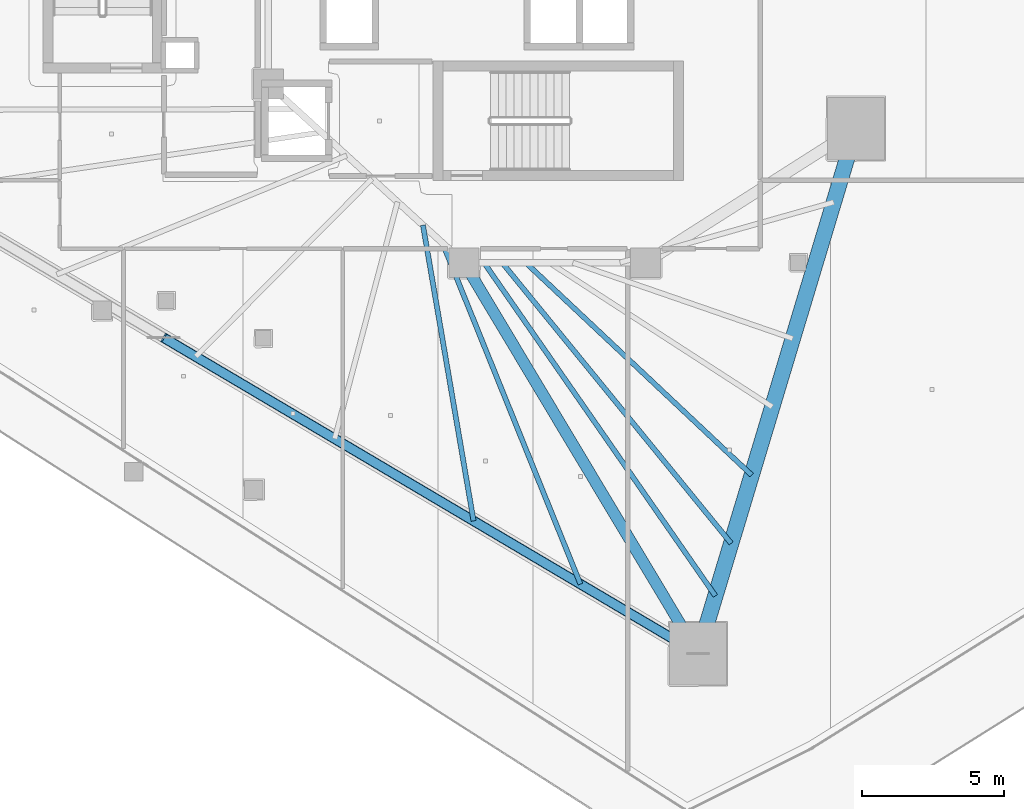
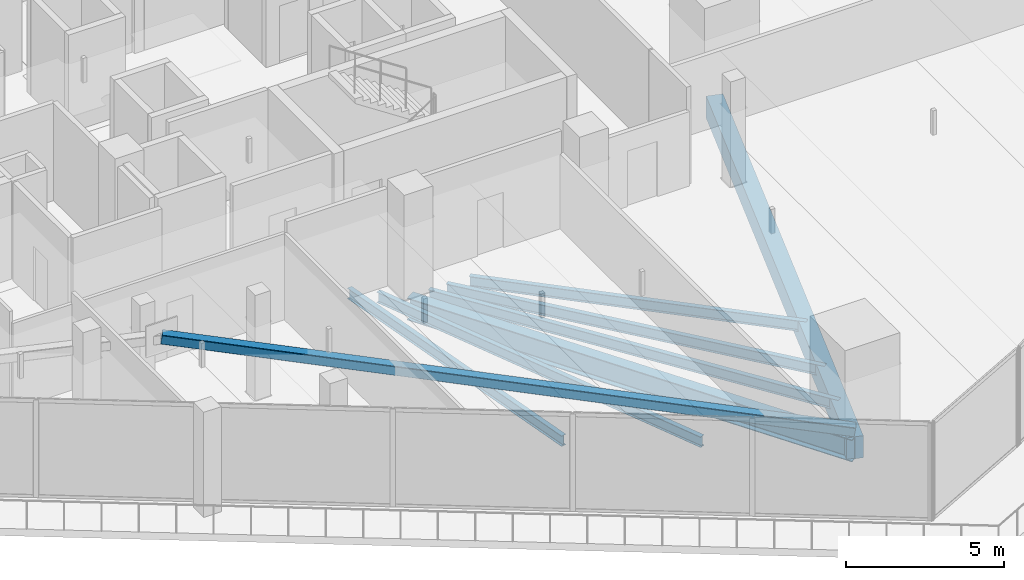
# One storey, part 9 of 45: 7 beams, 1 member.
"""IFC4 building model written with IfcOpenShell, lengths in metres."""

from ifc_helpers import new_model, si_unit, direction, frame, origin, origin_2d, place, context, subcontext, project, spatial, rectangle, hollow_rectangle, i_section, extrude, material, material_profile, profile_set, type_object, element, save


model = new_model("IFC4")

# Units and contexts
model_context = context("Model", 3, precision=1e-05, world=origin(), true_north=direction((0.0, 1.0)))
body_context = subcontext(model_context, "Body", "Model", "MODEL_VIEW")
ifc_project = project(units=[si_unit("LENGTHUNIT", "METRE"), si_unit("AREAUNIT", "SQUARE_METRE"), si_unit("VOLUMEUNIT", "CUBIC_METRE"), si_unit("PLANEANGLEUNIT", "RADIAN"), si_unit("MASSUNIT", "GRAM", prefix="KILO")], contexts=[model_context])

# Site, building, storey
site_placement = place(None, origin())
site = spatial("IfcSite", under=ifc_project, at=site_placement, CompositionType="ELEMENT")
building_placement = place(site_placement, origin())
building = spatial("IfcBuilding", under=site, at=building_placement, Name="Qorvath Tower", CompositionType="ELEMENT")
storey_placement = place(building_placement, frame((0.0, 0.0, 126.0)))
storey = spatial("IfcBuildingStorey", under=building, at=storey_placement, Name="L28", CompositionType="ELEMENT", Elevation=126.0)

# Beams
ifc_material_1 = material(Name="Steel ASTM A992 Grade 50", Category="steel")
ifc_material_profile_1 = material_profile(ifc_material_1, i_section(OverallWidth=0.39892578125, OverallDepth=0.85498046875, WebThickness=0.018310546875, FlangeThickness=0.029296875, FilletRadius=0.02001953125, at=origin_2d()), Name="W33x201")
ifc_profile_set_1 = profile_set([ifc_material_profile_1], Name="Steel ASTM A992 Grade 50")
beam_type_1 = type_object("IfcBeamType", Name="BM-FG2", PredefinedType="BEAM", material=ifc_profile_set_1)
beam_1_placement = place(storey_placement, frame((-23.60009765625, -11.449951171875, -0.70751953125), z_axis=(0.513497213955, -0.85809126045, 0.0), x_axis=(0.85809126045, 0.513497213955, 0.0)))
element("IfcBeam", 1, at=beam_1_placement, inside=storey, type_object=beam_type_1, Name="Radial Floor Girder CC4-MC3 L28", PredefinedType="BEAM", context=body_context, shape_type="SweptSolid", body=[
    extrude(i_section(OverallWidth=0.39892578125, OverallDepth=0.85498046875, WebThickness=0.018310546875, FlangeThickness=0.029296875, FilletRadius=0.02001953125, at=origin_2d()), origin(), (0.0, 0.0, 1.0), 16.07763671875),
])
ifc_material_2 = material(Name="Steel ASTM A992 Grade 50", Category="steel")
ifc_material_profile_2 = material_profile(ifc_material_2, i_section(OverallWidth=0.177978515625, OverallDepth=0.406005859375, WebThickness=0.0078125, FlangeThickness=0.0126953125, FilletRadius=0.010986328125, at=origin_2d()), Name="W16x40")
ifc_profile_set_2 = profile_set([ifc_material_profile_2], Name="Steel ASTM A992 Grade 50")
beam_type_2 = type_object("IfcBeamType", Name="BM-FJ3", PredefinedType="JOIST", material=ifc_profile_set_2)
beam_2_placement = place(storey_placement, frame((-21.424072265625, -11.449951171875, -0.48291015625), z_axis=(0.728572459091, -0.684968737866, 0.0), x_axis=(0.684968737866, 0.728572459091, 0.0)))
element("IfcBeam", 2, at=beam_2_placement, inside=storey, type_object=beam_type_2, Name="Composite Floor Joist SE5 L28", PredefinedType="JOIST", context=body_context, shape_type="SweptSolid", body=[
    extrude(i_section(OverallWidth=0.177978515625, OverallDepth=0.406005859375, WebThickness=0.0078125, FlangeThickness=0.0126953125, FilletRadius=0.010986328125, at=origin_2d()), origin(), (0.0, 0.0, 1.0), 10.9462890625),
])
beam_3_placement = place(storey_placement, frame((-22.256103515625, -11.449951171875, -0.48291015625), z_axis=(0.632187975212, -0.774815051478, 0.0), x_axis=(0.774815051478, 0.632187975212, 0.0)))
element("IfcBeam", 3, at=beam_3_placement, inside=storey, type_object=beam_type_2, Name="Composite Floor Joist SE6 L28", PredefinedType="JOIST", context=body_context, shape_type="SweptSolid", body=[
    extrude(i_section(OverallWidth=0.177978515625, OverallDepth=0.406005859375, WebThickness=0.0078125, FlangeThickness=0.0126953125, FilletRadius=0.010986328125, at=origin_2d()), origin(), (0.0, 0.0, 1.0), 12.784912109375),
])
beam_4_placement = place(storey_placement, frame((-22.89599609375, -11.449951171875, -0.48291015625), z_axis=(0.570366725248, -0.821390162304, 0.0), x_axis=(0.821390162304, 0.570366725248, 0.0)))
element("IfcBeam", 4, at=beam_4_placement, inside=storey, type_object=beam_type_2, Name="Composite Floor Joist SE7 L28", PredefinedType="JOIST", context=body_context, shape_type="SweptSolid", body=[
    extrude(i_section(OverallWidth=0.177978515625, OverallDepth=0.406005859375, WebThickness=0.0078125, FlangeThickness=0.0126953125, FilletRadius=0.010986328125, at=origin_2d()), origin(), (0.0, 0.0, 1.0), 14.3154296875),
])
beam_5_placement = place(storey_placement, frame((-25.049072265625, -10.126953125, -0.48291015625), z_axis=(0.168745594245, -0.985659639238, 0.0), x_axis=(0.985659639238, 0.168745594245, 0.0)))
element("IfcBeam", 5, at=beam_5_placement, inside=storey, type_object=beam_type_2, Name="Composite Floor Joist SW6 L28", PredefinedType="JOIST", context=body_context, shape_type="SweptSolid", body=[
    extrude(i_section(OverallWidth=0.177978515625, OverallDepth=0.406005859375, WebThickness=0.0078125, FlangeThickness=0.0126953125, FilletRadius=0.010986328125, at=origin_2d()), origin(), (0.0, 0.0, 1.0), 10.589111328125),
])
beam_6_placement = place(storey_placement, frame((-24.35888671875, -10.757080078125, -0.48291015625), z_axis=(0.37487652097, -0.927074751045, 0.0), x_axis=(0.927074751045, 0.37487652097, 0.0)))
element("IfcBeam", 6, at=beam_6_placement, inside=storey, type_object=beam_type_2, Name="Composite Floor Joist SW7 L28", PredefinedType="JOIST", context=body_context, shape_type="SweptSolid", body=[
    extrude(i_section(OverallWidth=0.177978515625, OverallDepth=0.406005859375, WebThickness=0.0078125, FlangeThickness=0.0126953125, FilletRadius=0.010986328125, at=origin_2d()), origin(), (0.0, 0.0, 1.0), 12.9833984375),
])
ifc_material_3 = material(Name="Concrete C50/60", Category="concrete")
ifc_material_profile_3 = material_profile(ifc_material_3, rectangle(XDim=0.550048828125, YDim=0.85009765625, at=origin_2d()), Name="RCB 850x550")
ifc_profile_set_3 = profile_set([ifc_material_profile_3], Name="Concrete C50/60")
beam_type_3 = type_object("IfcBeamType", Name="BM-RCB2", PredefinedType="SPANDREL", material=ifc_profile_set_3)
beam_7_placement = place(storey_placement, frame((-15.34423828125, -25.24609375, -0.705078125), z_axis=(0.288133952099, 0.957590113591, 0.0), x_axis=(-0.957590113591, 0.288133952099, 0.0)))
element("IfcBeam", 7, at=beam_7_placement, inside=storey, type_object=beam_type_3, Name="Perimeter Loggia Frame Beam MC3-MC4 L28", PredefinedType="SPANDREL", context=body_context, shape_type="SweptSolid", body=[
    extrude(rectangle(XDim=0.550048828125, YDim=0.85009765625, at=origin_2d()), origin(), (0.0, 0.0, 1.0), 19.344970703125),
])

# Member
ifc_material_4 = material(Name="Steel ASTM A500 Grade C", Category="steel")
ifc_material_profile_4 = material_profile(ifc_material_4, hollow_rectangle(XDim=0.355712890625, YDim=0.355712890625, WallThickness=0.015869140625, InnerFilletRadius=0.015869140625, OuterFilletRadius=0.03173828125, at=origin_2d()), Name="HSS 356x356x16")
ifc_profile_set_4 = profile_set([ifc_material_profile_4], Name="Steel ASTM A500 Grade C")
member_type = type_object("IfcMemberType", Name="MEM-MB2", PredefinedType="BRACE", material=ifc_profile_set_4)
member_placement = place(storey_placement, frame((-15.34423828125, -25.24609375, 0.0), z_axis=(-0.850469444029, 0.502891547317, 0.154278373115), x_axis=(-0.508985415689, -0.860775142889, 0.0)))
element("IfcMember", 8, at=member_placement, inside=storey, type_object=member_type, Name="Perimeter Chevron Brace L28-2B", PredefinedType="BRACE", context=body_context, shape_type="SweptSolid", body=[
    extrude(hollow_rectangle(XDim=0.355712890625, YDim=0.355712890625, WallThickness=0.015869140625, InnerFilletRadius=0.015869140625, OuterFilletRadius=0.03173828125, at=origin_2d()), origin(), (0.0, 0.0, 1.0), 22.167236328125),
])

save(model, "model.ifc")
